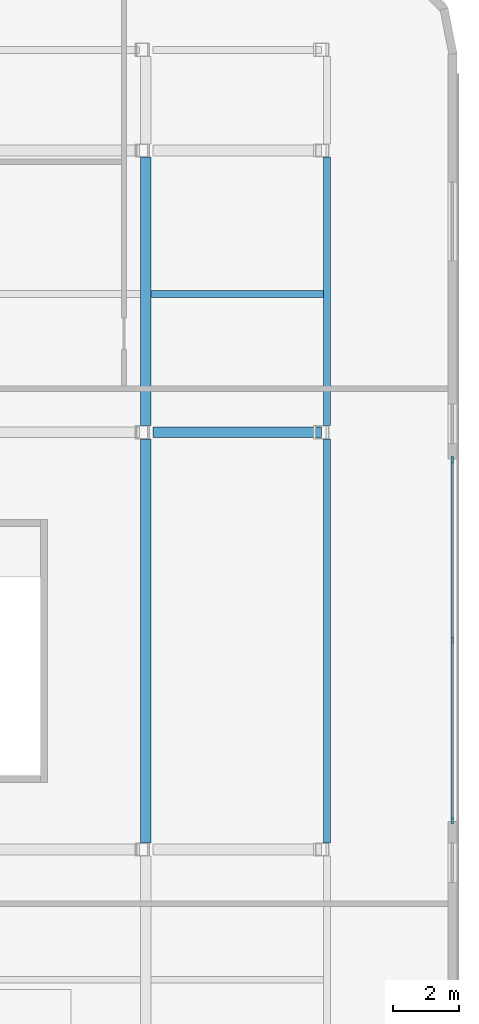
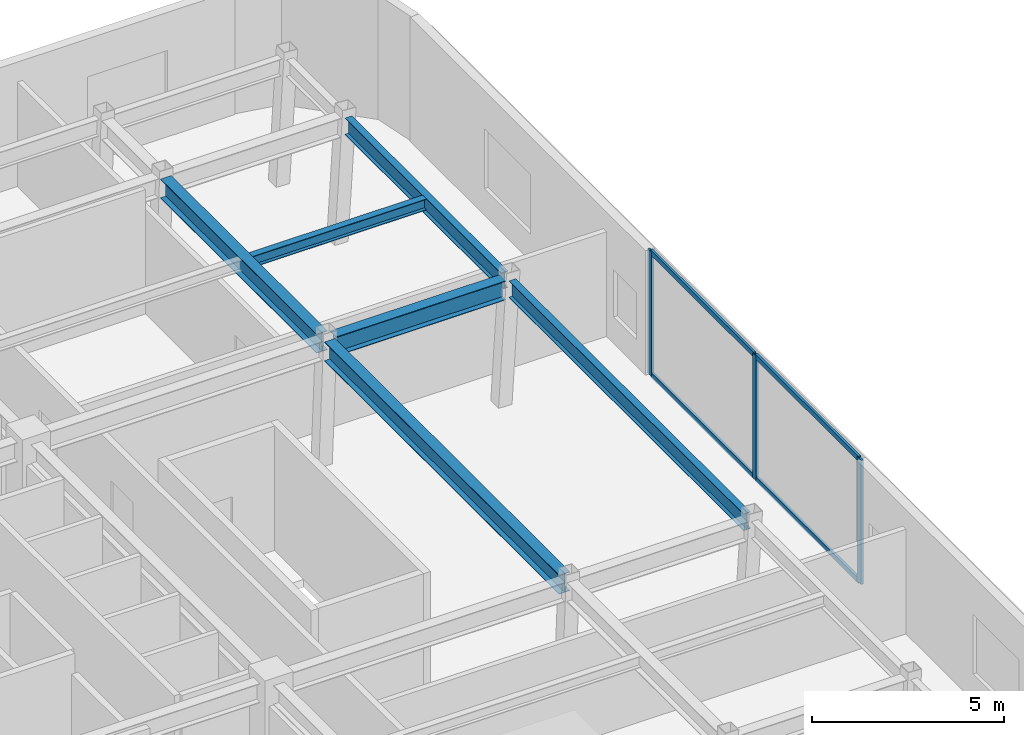
# One storey, part 4 of 12: 7 members, 6 beams, 1 element without a shape of its own.
"""IFC4 building model written with IfcOpenShell, lengths in metres."""

import ifcopenshell
import ifcopenshell.guid

model = None  # the IFC model being written
_history = None  # IfcOwnerHistory: only IFC2X3 demands one
_inside = {}  # id of a spatial element -> (the spatial element, [elements in it])
_under = {}  # id of a project, library or spatial element -> (it, [spatial elements below it])
_declared = {}  # id of a project -> (the project, [libraries it declares])
_typed = {}  # id of a type object -> (the type object, [elements of that type])
_made_of = {}  # id of a material, layer set ... -> (it, [elements and type objects made of it])


def new_model(schema):
    """Start an empty IFC model of exactly this schema.

    Asked for "IFC4X3", IfcOpenShell would pick the latest addendum, in which some entities
    have other attributes; the version numbers below select the first issue.
    IFC2X3 requires an IfcOwnerHistory on every rooted entity: one is made here for all.
    """
    global model, _history
    if schema == "IFC4X3":
        model = ifcopenshell.file(schema_version=(4, 3, 0, 0))
    else:
        model = ifcopenshell.file(schema=schema)
    _inside.clear()
    _under.clear()
    _declared.clear()
    _typed.clear()
    _made_of.clear()
    _history = None
    if model.schema == "IFC2X3":
        org = make("IfcOrganization", Name="unknown")
        user = make(
            "IfcPersonAndOrganization",
            ThePerson=make("IfcPerson", FamilyName="unknown"),
            TheOrganization=org,
        )
        app = make(
            "IfcApplication",
            ApplicationDeveloper=org,
            Version="unknown",
            ApplicationFullName="unknown",
            ApplicationIdentifier="unknown",
        )
        _history = make(
            "IfcOwnerHistory",
            OwningUser=user,
            OwningApplication=app,
            ChangeAction="ADDED",
            CreationDate=0,
        )
    return model


def make(cls, **values):
    """One entity of the class cls with the attributes given. An attribute that is None is left unset."""
    return model.create_entity(
        cls, **{name: value for name, value in values.items() if value is not None}
    )


def rooted(cls, **values):
    """An entity with a GlobalId (a new one), such as an element, a storey or a relation."""
    return make(cls, GlobalId=ifcopenshell.guid.new(), OwnerHistory=_history, **values)


def si_unit(unit_type, name, prefix=None):
    """IfcSIUnit, for example si_unit("LENGTHUNIT", "METRE", prefix="MILLI")."""
    return make("IfcSIUnit", UnitType=unit_type, Prefix=prefix, Name=name)


def assignment(units):
    """IfcUnitAssignment: the units of a project."""
    return None if units is None else make("IfcUnitAssignment", Units=units)


def point(xyz):
    """IfcCartesianPoint."""
    return None if xyz is None else make("IfcCartesianPoint", Coordinates=xyz)


def direction(xyz):
    """IfcDirection."""
    return None if xyz is None else make("IfcDirection", DirectionRatios=xyz)


def frame(location, z_axis=None, x_axis=None):
    """IfcAxis2Placement3D, a coordinate frame: its origin and axes. An axis left out is left unset."""
    return make(
        "IfcAxis2Placement3D",
        Location=point(location),
        Axis=direction(z_axis),
        RefDirection=direction(x_axis),
    )


def frame_2d(location, x_axis=None):
    """IfcAxis2Placement2D, a coordinate frame in the plane: its origin and x axis."""
    return make(
        "IfcAxis2Placement2D", Location=point(location), RefDirection=direction(x_axis)
    )


def origin():
    """The frame at (0, 0, 0) with its axes left unset."""
    return frame((0.0, 0.0, 0.0))


def origin_2d():
    """The frame at (0, 0) in the plane with its x axis left unset."""
    return frame_2d((0.0, 0.0))


def place(relative_to, where):
    """IfcLocalPlacement: puts the frame where relative to a parent placement (None: the world)."""
    return make(
        "IfcLocalPlacement", PlacementRelTo=relative_to, RelativePlacement=where
    )


def context(
    kind, dimensions, precision=None, world=None, true_north=None, identifier=None
):
    """IfcGeometricRepresentationContext, for example the 3D "Model" context."""
    return make(
        "IfcGeometricRepresentationContext",
        ContextIdentifier=identifier,
        ContextType=kind,
        CoordinateSpaceDimension=dimensions,
        Precision=precision,
        WorldCoordinateSystem=world,
        TrueNorth=true_north,
    )


def subcontext(parent, identifier, kind, view, scale=None):
    """IfcGeometricRepresentationSubContext, for example "Body" below "Model"."""
    return make(
        "IfcGeometricRepresentationSubContext",
        ContextIdentifier=identifier,
        ContextType=kind,
        ParentContext=parent,
        TargetScale=scale,
        TargetView=view,
    )


def project(units=None, contexts=None):
    """IfcProject with its units and contexts."""
    return rooted(
        "IfcProject",
        Name="project",
        RepresentationContexts=contexts,
        UnitsInContext=assignment(units),
    )


def spatial(cls, under=None, at=None, **own):
    """A site, building, storey or space (cls), placed at a placement, below another one or the project."""
    s = rooted(cls, ObjectPlacement=at, **own)
    if under is not None:
        _under.setdefault(under.id(), (under, []))[1].append(s)
    return s


def profile(cls, at=None, kind="AREA", **sizes):
    """A parametric profile (cls). Its sizes go by their IFC names, for example OverallWidth=200.0."""
    return make(cls, ProfileType=kind, Position=at, **sizes)


def rectangle(**sizes):
    """IfcRectangleProfileDef."""
    return profile("IfcRectangleProfileDef", **sizes)


def i_section(**sizes):
    """IfcIShapeProfileDef."""
    return profile("IfcIShapeProfileDef", **sizes)


def extrude(swept, where, along, depth):
    """IfcExtrudedAreaSolid: the profile swept, set in the frame where, extruded along a direction by depth."""
    return make(
        "IfcExtrudedAreaSolid",
        SweptArea=swept,
        Position=where,
        ExtrudedDirection=direction(along),
        Depth=depth,
    )


def shape(context_of_items, identifier, shape_type, items):
    """IfcShapeRepresentation: the items that make up one representation, for example the "Body"."""
    return make(
        "IfcShapeRepresentation",
        ContextOfItems=context_of_items,
        RepresentationIdentifier=identifier,
        RepresentationType=shape_type,
        Items=items,
    )


def material(Name=None, Category=None):
    """IfcMaterial."""
    return make("IfcMaterial", Name=Name, Category=Category)


def layer(
    of_material, thickness, ventilated=None, Name=None, Category=None, Priority=None
):
    """IfcMaterialLayer: one layer of a wall or slab, of a material (None: an air gap)."""
    return make(
        "IfcMaterialLayer",
        Material=of_material,
        LayerThickness=thickness,
        IsVentilated=ventilated,
        Name=Name,
        Category=Category,
        Priority=Priority,
    )


def layer_set(layers, Name=None):
    """IfcMaterialLayerSet."""
    return make("IfcMaterialLayerSet", MaterialLayers=layers, LayerSetName=Name)


def material_profile(
    of_material, cross_section, Name=None, Category=None, Priority=None
):
    """IfcMaterialProfile: a cross section and its material."""
    return make(
        "IfcMaterialProfile",
        Name=Name,
        Material=of_material,
        Profile=cross_section,
        Priority=Priority,
        Category=Category,
    )


def profile_set(profiles, Name=None, composite=None):
    """IfcMaterialProfileSet."""
    return make(
        "IfcMaterialProfileSet",
        Name=Name,
        MaterialProfiles=profiles,
        CompositeProfile=composite,
    )


def made_of(thing, what):
    """Note that an element or type object is made of a material, layer set ...; save() writes the relation."""
    if what is not None:
        _made_of.setdefault(what.id(), (what, []))[1].append(thing)
    return thing


def type_object(cls, material=None, **own):
    """A type object (cls), such as IfcWallType, which elements share."""
    return made_of(rooted(cls, **own), material)


def element(
    cls,
    number,
    at=None,
    inside=None,
    cuts=None,
    type_object=None,
    material=None,
    context=None,
    identifier="Body",
    shape_type=None,
    held_by="IfcProductDefinitionShape",
    body=None,
    shapes=None,
    **own,
):
    """One element of the class cls, such as IfcWall. Its Tag is "e" and its number.

    at: its placement. inside: the storey or other place that contains it. cuts: it is an
    opening in that element (IfcRelVoidsElement). A single representation is given by context,
    identifier, shape_type and body (its items); several are given by shapes. held_by: the class
    of the entity that holds the representations. save() writes the other relations.
    """
    e = rooted(cls, Tag="e%d" % number, ObjectPlacement=at, **own)
    if body is not None:
        shapes = [shape(context, identifier, shape_type, body)]
    if shapes is not None:
        e.Representation = make(held_by, Representations=shapes)
    if inside is not None:
        _inside.setdefault(inside.id(), (inside, []))[1].append(e)
    if cuts is not None:
        rooted(
            "IfcRelVoidsElement", RelatingBuildingElement=cuts, RelatedOpeningElement=e
        )
    if type_object is not None:
        _typed.setdefault(type_object.id(), (type_object, []))[1].append(e)
    return made_of(e, material)


def aggregate(whole, parts):
    """IfcRelAggregates: a whole, such as a stair, and the parts it consists of."""
    return rooted("IfcRelAggregates", RelatingObject=whole, RelatedObjects=parts)


def save(model, path):
    """Write the relations noted so far, then the file.

    IfcRelAggregates (storeys below a building ...), IfcRelContainedInSpatialStructure (elements
    in a storey), IfcRelDefinesByType, IfcRelAssociatesMaterial and IfcRelDeclares: one each for
    every whole, place, type object, material and project.
    """
    for whole, parts in _under.values():
        aggregate(whole, parts)
    for where, things in _inside.values():
        rooted(
            "IfcRelContainedInSpatialStructure",
            RelatedElements=things,
            RelatingStructure=where,
        )
    for kind, things in _typed.values():
        rooted("IfcRelDefinesByType", RelatedObjects=things, RelatingType=kind)
    for what, things in _made_of.values():
        rooted("IfcRelAssociatesMaterial", RelatedObjects=things, RelatingMaterial=what)
    for by, libraries in _declared.values():
        rooted("IfcRelDeclares", RelatingContext=by, RelatedDefinitions=libraries)
    model.write(path)


model = new_model("IFC4")

# Units and contexts
model_context = context("Model", 3, precision=1e-05, world=origin(), true_north=direction((0.0, 1.0)))
body_context = subcontext(model_context, "Body", "Model", "MODEL_VIEW")
ifc_project = project(units=[si_unit("LENGTHUNIT", "METRE"), si_unit("AREAUNIT", "SQUARE_METRE"), si_unit("VOLUMEUNIT", "CUBIC_METRE"), si_unit("PLANEANGLEUNIT", "RADIAN"), si_unit("MASSUNIT", "GRAM", prefix="KILO")], contexts=[model_context])

# Site, building, storey
site_placement = place(None, origin())
site = spatial("IfcSite", under=ifc_project, at=site_placement, CompositionType="ELEMENT")
building_placement = place(site_placement, origin())
building = spatial("IfcBuilding", under=site, at=building_placement, Name="Ochreholt Gables", CompositionType="ELEMENT")
storey_placement = place(building_placement, frame((0.0, 0.0, 117.0)))
storey = spatial("IfcBuildingStorey", under=building, at=storey_placement, Name="L30", CompositionType="ELEMENT", Elevation=117.0)

# Beams
ifc_material_1 = material(Name="Steel CSA G40.21 350W", Category="steel")
ifc_material_profile_1 = material_profile(ifc_material_1, i_section(OverallWidth=0.323974609375, OverallDepth=0.611083984375, WebThickness=0.0126953125, FlangeThickness=0.01904296875, at=origin_2d()), Name="W610X155")
ifc_profile_set_1 = profile_set([ifc_material_profile_1], Name="Steel CSA G40.21 350W")
beam_type_1 = type_object("IfcBeamType", Name="BM-G-W610A", PredefinedType="BEAM", material=ifc_profile_set_1)
beam_1_placement = place(storey_placement, frame((44.380615234375, 30.199951171875, 3.654541015625), z_axis=(1.0, 0.0, 0.0), x_axis=(0.0, 1.0, 0.0)))
element("IfcBeam", 1, at=beam_1_placement, inside=storey, type_object=beam_type_1, Name="L30 Beam TBG-L30-EMEE-Y4", PredefinedType="BEAM", context=body_context, shape_type="SweptSolid", body=[
    extrude(i_section(OverallWidth=0.323974609375, OverallDepth=0.611083984375, WebThickness=0.0126953125, FlangeThickness=0.01904296875, at=origin_2d()), origin(), (0.0, 0.0, 1.0), 5.103271484375),
])
beam_2_placement = place(storey_placement, frame((44.160888671875, 17.752685546875, 3.654541015625), z_axis=(0.0, 1.0, 0.0), x_axis=(-1.0, 0.0, 0.0)))
element("IfcBeam", 2, at=beam_2_placement, inside=storey, type_object=beam_type_1, Name="L30 Beam TBN-L30-EM-Y3Y4", PredefinedType="BEAM", context=body_context, shape_type="SweptSolid", body=[
    extrude(i_section(OverallWidth=0.323974609375, OverallDepth=0.611083984375, WebThickness=0.0126953125, FlangeThickness=0.01904296875, at=origin_2d()), origin(), (0.0, 0.0, 1.0), 12.24462890625),
])
beam_3_placement = place(storey_placement, frame((44.160888671875, 30.402587890625, 3.654541015625), z_axis=(0.0, 1.0, 0.0), x_axis=(-1.0, 0.0, 0.0)))
element("IfcBeam", 3, at=beam_3_placement, inside=storey, type_object=beam_type_1, Name="L30 Beam TBN-L30-EM-Y4Y5", PredefinedType="BEAM", context=body_context, shape_type="SweptSolid", body=[
    extrude(i_section(OverallWidth=0.323974609375, OverallDepth=0.611083984375, WebThickness=0.0126953125, FlangeThickness=0.01904296875, at=origin_2d()), origin(), (0.0, 0.0, 1.0), 8.144775390625),
])
ifc_material_profile_2 = material_profile(ifc_material_1, i_section(OverallWidth=0.205078125, OverallDepth=0.35400390625, WebThickness=0.009521484375, FlangeThickness=0.016845703125, at=origin_2d()), Name="W360X79")
ifc_profile_set_2 = profile_set([ifc_material_profile_2], Name="Steel CSA G40.21 350W")
beam_type_2 = type_object("IfcBeamType", Name="BM-J-W360A", PredefinedType="JOIST", material=ifc_profile_set_2)
beam_4_placement = place(storey_placement, frame((44.322509765625, 34.39990234375, 3.782958984375), z_axis=(1.0, 0.0, 0.0), x_axis=(0.0, 1.0, 0.0)))
element("IfcBeam", 4, at=beam_4_placement, inside=storey, type_object=beam_type_2, Name="L30 Beam TBJ-L30-J2-EMEE", PredefinedType="JOIST", context=body_context, shape_type="SweptSolid", body=[
    extrude(i_section(OverallWidth=0.205078125, OverallDepth=0.35400390625, WebThickness=0.009521484375, FlangeThickness=0.016845703125, at=origin_2d()), origin(), (0.0, 0.0, 1.0), 5.2314453125),
])
ifc_material_profile_3 = material_profile(ifc_material_1, i_section(OverallWidth=0.208984375, OverallDepth=0.532958984375, WebThickness=0.01025390625, FlangeThickness=0.015625, at=origin_2d()), Name="W530X92")
ifc_profile_set_3 = profile_set([ifc_material_profile_3], Name="Steel CSA G40.21 350W")
beam_type_3 = type_object("IfcBeamType", Name="BM-SP-W530B", PredefinedType="SPANDREL", material=ifc_profile_set_3)
beam_5_placement = place(storey_placement, frame((49.657958984375, 17.752685546875, 3.693603515625), z_axis=(0.0, 1.0, 0.0), x_axis=(-1.0, 0.0, 0.0)))
element("IfcBeam", 5, at=beam_5_placement, inside=storey, type_object=beam_type_3, Name="L30 Beam TBN-L30-EE-Y3Y4", PredefinedType="SPANDREL", context=body_context, shape_type="SweptSolid", body=[
    extrude(i_section(OverallWidth=0.208984375, OverallDepth=0.532958984375, WebThickness=0.01025390625, FlangeThickness=0.015625, at=origin_2d()), origin(), (0.0, 0.0, 1.0), 12.24462890625),
])
beam_6_placement = place(storey_placement, frame((49.657958984375, 30.402587890625, 3.693603515625), z_axis=(0.0, 1.0, 0.0), x_axis=(-1.0, 0.0, 0.0)))
element("IfcBeam", 6, at=beam_6_placement, inside=storey, type_object=beam_type_3, Name="L30 Beam TBN-L30-EE-Y4Y5", PredefinedType="SPANDREL", context=body_context, shape_type="SweptSolid", body=[
    extrude(i_section(OverallWidth=0.208984375, OverallDepth=0.532958984375, WebThickness=0.01025390625, FlangeThickness=0.015625, at=origin_2d()), origin(), (0.0, 0.0, 1.0), 8.144775390625),
])

# Curtain wall, members
ifc_material_2 = material(Name="Unitised Aluminium and Triple Glazing", Category="aluminium")
ifc_layer = layer(ifc_material_2, 0.219970703125, Name="Unitised Aluminium and Triple Glazing")
ifc_layer_set = layer_set([ifc_layer], Name="Unitised Aluminium and Triple Glazing")
curtain_wall_type = type_object("IfcCurtainWallType", Name="CW-SYS6", PredefinedType="NOTDEFINED", material=ifc_layer_set)
curtain_wall_placement = place(storey_placement, origin())
curtain_wall = element("IfcCurtainWall", 7, at=curtain_wall_placement, inside=storey, type_object=curtain_wall_type, Name="L30 East Unitised Curtain Wall", PredefinedType="NOTDEFINED")
ifc_material_3 = material(Name="Anodized Aluminium 6063-T6", Category="aluminium")
ifc_material_profile_4 = material_profile(ifc_material_3, rectangle(XDim=0.074951171875, YDim=0.199951171875, at=origin_2d()), Name="CWM75X200")
ifc_profile_set_4 = profile_set([ifc_material_profile_4], Name="Anodized Aluminium 6063-T6")
member_type_1 = type_object("IfcMemberType", Name="CW-MUL-A", PredefinedType="MULLION", material=ifc_profile_set_4)
member_1_placement = place(storey_placement, frame((53.4599609375, 18.4375, 0.0), z_axis=(0.0, 0.0, 1.0), x_axis=(-1.0, 0.0, 0.0)))
member_1 = element("IfcMember", 8, at=member_1_placement, type_object=member_type_1, Name="CW-6 mullion 1", PredefinedType="MULLION", context=body_context, shape_type="SweptSolid", body=[
    extrude(rectangle(XDim=0.074951171875, YDim=0.199951171875, at=origin_2d()), origin(), (0.0, 0.0, 1.0), 3.9599609375),
])
member_2_placement = place(storey_placement, frame((53.4599609375, 23.89990234375, 0.0), z_axis=(0.0, 0.0, 1.0), x_axis=(-1.0, 0.0, 0.0)))
member_2 = element("IfcMember", 9, at=member_2_placement, type_object=member_type_1, Name="CW-6 mullion 2", PredefinedType="MULLION", context=body_context, shape_type="SweptSolid", body=[
    extrude(rectangle(XDim=0.074951171875, YDim=0.199951171875, at=origin_2d()), origin(), (0.0, 0.0, 1.0), 3.9599609375),
])
member_3_placement = place(storey_placement, frame((53.4599609375, 29.362548828125, 0.0), z_axis=(0.0, 0.0, 1.0), x_axis=(-1.0, 0.0, 0.0)))
member_3 = element("IfcMember", 10, at=member_3_placement, type_object=member_type_1, Name="CW-6 mullion 3", PredefinedType="MULLION", context=body_context, shape_type="SweptSolid", body=[
    extrude(rectangle(XDim=0.074951171875, YDim=0.199951171875, at=origin_2d()), origin(), (0.0, 0.0, 1.0), 3.9599609375),
])
ifc_material_profile_5 = material_profile(ifc_material_3, rectangle(XDim=0.074951171875, YDim=0.159912109375, at=origin_2d()), Name="CWT75X160")
ifc_profile_set_5 = profile_set([ifc_material_profile_5], Name="Anodized Aluminium 6063-T6")
member_type_2 = type_object("IfcMemberType", Name="CW-TRN-A", PredefinedType="USERDEFINED", material=ifc_profile_set_5)
member_4_placement = place(storey_placement, frame((53.4599609375, 18.47509765625, 0.03759765625), z_axis=(0.0, 1.0, 0.0), x_axis=(-1.0, 0.0, 0.0)))
member_4 = element("IfcMember", 11, at=member_4_placement, type_object=member_type_2, Name="CW-6 transom 1.1", ObjectType="TRANSOM", PredefinedType="USERDEFINED", context=body_context, shape_type="SweptSolid", body=[
    extrude(rectangle(XDim=0.074951171875, YDim=0.159912109375, at=origin_2d()), origin(), (0.0, 0.0, 1.0), 5.387451171875),
])
member_5_placement = place(storey_placement, frame((53.4599609375, 18.47509765625, 3.922607421875), z_axis=(0.0, 1.0, 0.0), x_axis=(-1.0, 0.0, 0.0)))
member_5 = element("IfcMember", 12, at=member_5_placement, type_object=member_type_2, Name="CW-6 transom 1.2", ObjectType="TRANSOM", PredefinedType="USERDEFINED", context=body_context, shape_type="SweptSolid", body=[
    extrude(rectangle(XDim=0.074951171875, YDim=0.159912109375, at=origin_2d()), origin(), (0.0, 0.0, 1.0), 5.387451171875),
])
member_6_placement = place(storey_placement, frame((53.4599609375, 23.9375, 0.03759765625), z_axis=(0.0, 1.0, 0.0), x_axis=(-1.0, 0.0, 0.0)))
member_6 = element("IfcMember", 13, at=member_6_placement, type_object=member_type_2, Name="CW-6 transom 2.1", ObjectType="TRANSOM", PredefinedType="USERDEFINED", context=body_context, shape_type="SweptSolid", body=[
    extrude(rectangle(XDim=0.074951171875, YDim=0.159912109375, at=origin_2d()), origin(), (0.0, 0.0, 1.0), 5.387451171875),
])
member_7_placement = place(storey_placement, frame((53.4599609375, 23.9375, 3.922607421875), z_axis=(0.0, 1.0, 0.0), x_axis=(-1.0, 0.0, 0.0)))
member_7 = element("IfcMember", 14, at=member_7_placement, type_object=member_type_2, Name="CW-6 transom 2.2", ObjectType="TRANSOM", PredefinedType="USERDEFINED", context=body_context, shape_type="SweptSolid", body=[
    extrude(rectangle(XDim=0.074951171875, YDim=0.159912109375, at=origin_2d()), origin(), (0.0, 0.0, 1.0), 5.387451171875),
])
aggregate(curtain_wall, [member_1, member_2, member_3, member_4, member_5, member_6, member_7])

save(model, "model.ifc")
